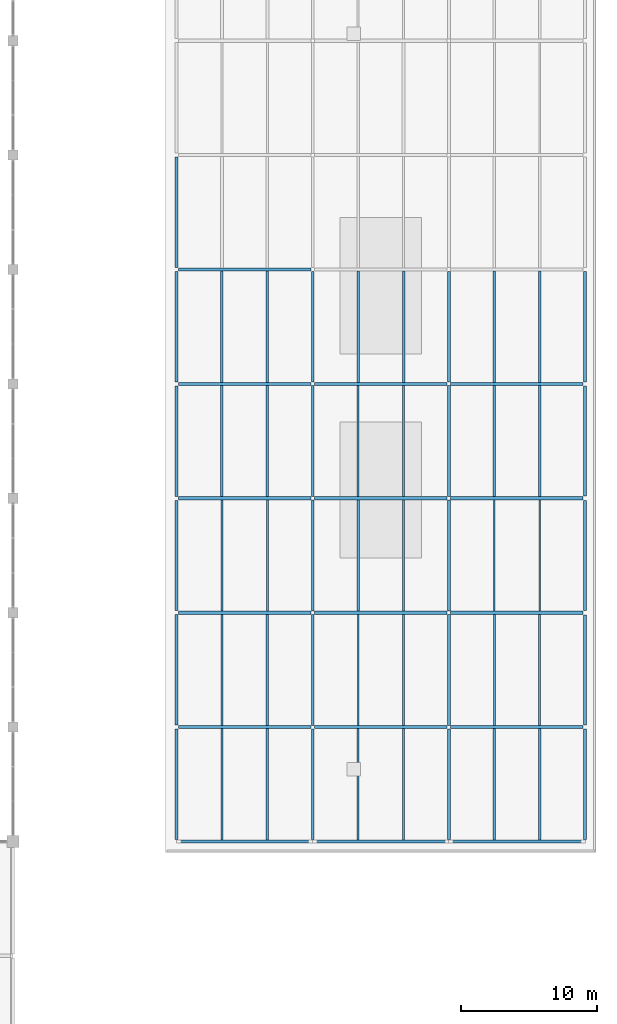
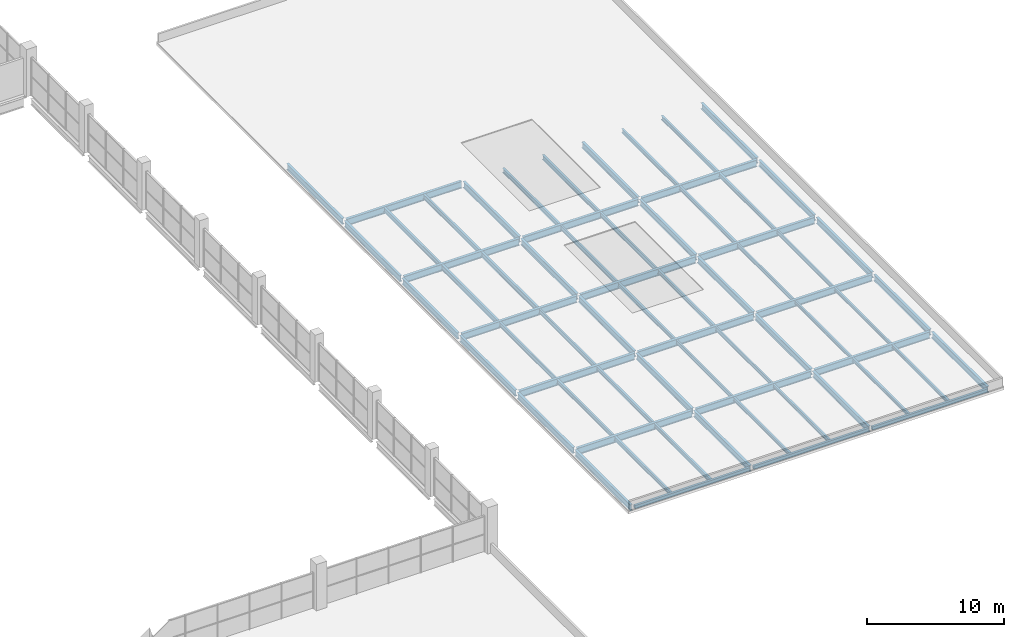
# One storey, part 67 of 93: 67 beams.
"""IFC4 building model written with IfcOpenShell, lengths in metres."""

import ifcopenshell
import ifcopenshell.guid

model = None  # the IFC model being written
_history = None  # IfcOwnerHistory: only IFC2X3 demands one
_inside = {}  # id of a spatial element -> (the spatial element, [elements in it])
_under = {}  # id of a project, library or spatial element -> (it, [spatial elements below it])
_declared = {}  # id of a project -> (the project, [libraries it declares])
_typed = {}  # id of a type object -> (the type object, [elements of that type])
_made_of = {}  # id of a material, layer set ... -> (it, [elements and type objects made of it])


def new_model(schema):
    """Start an empty IFC model of exactly this schema.

    Asked for "IFC4X3", IfcOpenShell would pick the latest addendum, in which some entities
    have other attributes; the version numbers below select the first issue.
    IFC2X3 requires an IfcOwnerHistory on every rooted entity: one is made here for all.
    """
    global model, _history
    if schema == "IFC4X3":
        model = ifcopenshell.file(schema_version=(4, 3, 0, 0))
    else:
        model = ifcopenshell.file(schema=schema)
    _inside.clear()
    _under.clear()
    _declared.clear()
    _typed.clear()
    _made_of.clear()
    _history = None
    if model.schema == "IFC2X3":
        org = make("IfcOrganization", Name="unknown")
        user = make(
            "IfcPersonAndOrganization",
            ThePerson=make("IfcPerson", FamilyName="unknown"),
            TheOrganization=org,
        )
        app = make(
            "IfcApplication",
            ApplicationDeveloper=org,
            Version="unknown",
            ApplicationFullName="unknown",
            ApplicationIdentifier="unknown",
        )
        _history = make(
            "IfcOwnerHistory",
            OwningUser=user,
            OwningApplication=app,
            ChangeAction="ADDED",
            CreationDate=0,
        )
    return model


def make(cls, **values):
    """One entity of the class cls with the attributes given. An attribute that is None is left unset."""
    return model.create_entity(
        cls, **{name: value for name, value in values.items() if value is not None}
    )


def rooted(cls, **values):
    """An entity with a GlobalId (a new one), such as an element, a storey or a relation."""
    return make(cls, GlobalId=ifcopenshell.guid.new(), OwnerHistory=_history, **values)


def si_unit(unit_type, name, prefix=None):
    """IfcSIUnit, for example si_unit("LENGTHUNIT", "METRE", prefix="MILLI")."""
    return make("IfcSIUnit", UnitType=unit_type, Prefix=prefix, Name=name)


def assignment(units):
    """IfcUnitAssignment: the units of a project."""
    return None if units is None else make("IfcUnitAssignment", Units=units)


def point(xyz):
    """IfcCartesianPoint."""
    return None if xyz is None else make("IfcCartesianPoint", Coordinates=xyz)


def direction(xyz):
    """IfcDirection."""
    return None if xyz is None else make("IfcDirection", DirectionRatios=xyz)


def frame(location, z_axis=None, x_axis=None):
    """IfcAxis2Placement3D, a coordinate frame: its origin and axes. An axis left out is left unset."""
    return make(
        "IfcAxis2Placement3D",
        Location=point(location),
        Axis=direction(z_axis),
        RefDirection=direction(x_axis),
    )


def frame_2d(location, x_axis=None):
    """IfcAxis2Placement2D, a coordinate frame in the plane: its origin and x axis."""
    return make(
        "IfcAxis2Placement2D", Location=point(location), RefDirection=direction(x_axis)
    )


def origin():
    """The frame at (0, 0, 0) with its axes left unset."""
    return frame((0.0, 0.0, 0.0))


def origin_2d():
    """The frame at (0, 0) in the plane with its x axis left unset."""
    return frame_2d((0.0, 0.0))


def place(relative_to, where):
    """IfcLocalPlacement: puts the frame where relative to a parent placement (None: the world)."""
    return make(
        "IfcLocalPlacement", PlacementRelTo=relative_to, RelativePlacement=where
    )


def context(
    kind, dimensions, precision=None, world=None, true_north=None, identifier=None
):
    """IfcGeometricRepresentationContext, for example the 3D "Model" context."""
    return make(
        "IfcGeometricRepresentationContext",
        ContextIdentifier=identifier,
        ContextType=kind,
        CoordinateSpaceDimension=dimensions,
        Precision=precision,
        WorldCoordinateSystem=world,
        TrueNorth=true_north,
    )


def subcontext(parent, identifier, kind, view, scale=None):
    """IfcGeometricRepresentationSubContext, for example "Body" below "Model"."""
    return make(
        "IfcGeometricRepresentationSubContext",
        ContextIdentifier=identifier,
        ContextType=kind,
        ParentContext=parent,
        TargetScale=scale,
        TargetView=view,
    )


def project(units=None, contexts=None):
    """IfcProject with its units and contexts."""
    return rooted(
        "IfcProject",
        Name="project",
        RepresentationContexts=contexts,
        UnitsInContext=assignment(units),
    )


def spatial(cls, under=None, at=None, **own):
    """A site, building, storey or space (cls), placed at a placement, below another one or the project."""
    s = rooted(cls, ObjectPlacement=at, **own)
    if under is not None:
        _under.setdefault(under.id(), (under, []))[1].append(s)
    return s


def profile(cls, at=None, kind="AREA", **sizes):
    """A parametric profile (cls). Its sizes go by their IFC names, for example OverallWidth=200.0."""
    return make(cls, ProfileType=kind, Position=at, **sizes)


def hollow_rectangle(**sizes):
    """IfcRectangleHollowProfileDef."""
    return profile("IfcRectangleHollowProfileDef", **sizes)


def i_section(**sizes):
    """IfcIShapeProfileDef."""
    return profile("IfcIShapeProfileDef", **sizes)


def extrude(swept, where, along, depth):
    """IfcExtrudedAreaSolid: the profile swept, set in the frame where, extruded along a direction by depth."""
    return make(
        "IfcExtrudedAreaSolid",
        SweptArea=swept,
        Position=where,
        ExtrudedDirection=direction(along),
        Depth=depth,
    )


def shape(context_of_items, identifier, shape_type, items):
    """IfcShapeRepresentation: the items that make up one representation, for example the "Body"."""
    return make(
        "IfcShapeRepresentation",
        ContextOfItems=context_of_items,
        RepresentationIdentifier=identifier,
        RepresentationType=shape_type,
        Items=items,
    )


def material(Name=None, Category=None):
    """IfcMaterial."""
    return make("IfcMaterial", Name=Name, Category=Category)


def material_profile(
    of_material, cross_section, Name=None, Category=None, Priority=None
):
    """IfcMaterialProfile: a cross section and its material."""
    return make(
        "IfcMaterialProfile",
        Name=Name,
        Material=of_material,
        Profile=cross_section,
        Priority=Priority,
        Category=Category,
    )


def profile_set(profiles, Name=None, composite=None):
    """IfcMaterialProfileSet."""
    return make(
        "IfcMaterialProfileSet",
        Name=Name,
        MaterialProfiles=profiles,
        CompositeProfile=composite,
    )


def made_of(thing, what):
    """Note that an element or type object is made of a material, layer set ...; save() writes the relation."""
    if what is not None:
        _made_of.setdefault(what.id(), (what, []))[1].append(thing)
    return thing


def type_object(cls, material=None, **own):
    """A type object (cls), such as IfcWallType, which elements share."""
    return made_of(rooted(cls, **own), material)


def element(
    cls,
    number,
    at=None,
    inside=None,
    cuts=None,
    type_object=None,
    material=None,
    context=None,
    identifier="Body",
    shape_type=None,
    held_by="IfcProductDefinitionShape",
    body=None,
    shapes=None,
    **own,
):
    """One element of the class cls, such as IfcWall. Its Tag is "e" and its number.

    at: its placement. inside: the storey or other place that contains it. cuts: it is an
    opening in that element (IfcRelVoidsElement). A single representation is given by context,
    identifier, shape_type and body (its items); several are given by shapes. held_by: the class
    of the entity that holds the representations. save() writes the other relations.
    """
    e = rooted(cls, Tag="e%d" % number, ObjectPlacement=at, **own)
    if body is not None:
        shapes = [shape(context, identifier, shape_type, body)]
    if shapes is not None:
        e.Representation = make(held_by, Representations=shapes)
    if inside is not None:
        _inside.setdefault(inside.id(), (inside, []))[1].append(e)
    if cuts is not None:
        rooted(
            "IfcRelVoidsElement", RelatingBuildingElement=cuts, RelatedOpeningElement=e
        )
    if type_object is not None:
        _typed.setdefault(type_object.id(), (type_object, []))[1].append(e)
    return made_of(e, material)


def aggregate(whole, parts):
    """IfcRelAggregates: a whole, such as a stair, and the parts it consists of."""
    return rooted("IfcRelAggregates", RelatingObject=whole, RelatedObjects=parts)


def save(model, path):
    """Write the relations noted so far, then the file.

    IfcRelAggregates (storeys below a building ...), IfcRelContainedInSpatialStructure (elements
    in a storey), IfcRelDefinesByType, IfcRelAssociatesMaterial and IfcRelDeclares: one each for
    every whole, place, type object, material and project.
    """
    for whole, parts in _under.values():
        aggregate(whole, parts)
    for where, things in _inside.values():
        rooted(
            "IfcRelContainedInSpatialStructure",
            RelatedElements=things,
            RelatingStructure=where,
        )
    for kind, things in _typed.values():
        rooted("IfcRelDefinesByType", RelatedObjects=things, RelatingType=kind)
    for what, things in _made_of.values():
        rooted("IfcRelAssociatesMaterial", RelatedObjects=things, RelatingMaterial=what)
    for by, libraries in _declared.values():
        rooted("IfcRelDeclares", RelatingContext=by, RelatedDefinitions=libraries)
    model.write(path)


model = new_model("IFC4")

# Units and contexts
model_context = context("Model", 3, precision=1e-05, world=origin(), true_north=direction((0.0, 1.0)))
body_context = subcontext(model_context, "Body", "Model", "MODEL_VIEW")
ifc_project = project(units=[si_unit("LENGTHUNIT", "METRE"), si_unit("AREAUNIT", "SQUARE_METRE"), si_unit("VOLUMEUNIT", "CUBIC_METRE"), si_unit("PLANEANGLEUNIT", "RADIAN"), si_unit("MASSUNIT", "GRAM", prefix="KILO"), si_unit("THERMODYNAMICTEMPERATUREUNIT", "KELVIN")], contexts=[model_context])

# Site, building, storey
site_placement = place(None, origin())
site = spatial("IfcSite", under=ifc_project, at=site_placement, CompositionType="ELEMENT")
building_placement = place(site_placement, origin())
building = spatial("IfcBuilding", under=site, at=building_placement, Name="Nduvali Passage Aquatics Centre", CompositionType="ELEMENT")
storey_placement = place(building_placement, frame((0.0, 0.0, 9.0)))
storey = spatial("IfcBuildingStorey", under=building, at=storey_placement, Name="L02", CompositionType="ELEMENT", Elevation=9.0)

# Beams
ifc_material = material(Name="Steel S355", Category="steel")
ifc_material_profile_1 = material_profile(ifc_material, i_section(OverallWidth=0.210693359375, OverallDepth=0.53955078125, WebThickness=0.01171875, FlangeThickness=0.018798828125, FilletRadius=0.0126953125, at=origin_2d()), Name="UKB 533x210x109")
ifc_profile_set_1 = profile_set([ifc_material_profile_1], Name="Steel S355")
beam_type_1 = type_object("IfcBeamType", Name="STR-BM-UKB533", PredefinedType="BEAM", material=ifc_profile_set_1)
beam_1_placement = place(storey_placement, frame((148.0, 25.3349609375, -0.493896484375), z_axis=(0.0, 1.0, 0.0), x_axis=(-1.0, 0.0, 0.0)))
element("IfcBeam", 1, at=beam_1_placement, inside=storey, type_object=beam_type_1, Name="L02 Primary Y-Girder B6-1029", PredefinedType="BEAM", context=body_context, shape_type="SweptSolid", body=[
    extrude(i_section(OverallWidth=0.210693359375, OverallDepth=0.53955078125, WebThickness=0.01171875, FlangeThickness=0.018798828125, FilletRadius=0.0126953125, at=origin_2d()), origin(), (0.0, 0.0, 1.0), 8.130126953125),
])
for number, where, z_axis, x_axis, name in (
    (2, (148.0, 33.735107421875, -0.493896484375), (0.0, 1.0, 0.0), (-1.0, 0.0, 0.0), "L02 Primary Y-Girder B6-1030"),
    (3, (148.0, 42.135009765625, -0.493896484375), (0.0, 1.0, 0.0), (-1.0, 0.0, 0.0), "L02 Primary Y-Girder B6-1031"),
):
    element("IfcBeam", number, at=place(storey_placement, frame(where, z_axis=z_axis, x_axis=x_axis)), inside=storey, type_object=beam_type_1, Name=name, PredefinedType="BEAM", context=body_context, shape_type="SweptSolid", body=[
        extrude(i_section(OverallWidth=0.210693359375, OverallDepth=0.53955078125, WebThickness=0.01171875, FlangeThickness=0.018798828125, FilletRadius=0.0126953125, at=origin_2d()), origin(), (0.0, 0.0, 1.0), 8.1298828125),
    ])
beam_2_placement = place(storey_placement, frame((148.0, 50.534912109375, -0.493896484375), z_axis=(0.0, 1.0, 0.0), x_axis=(-1.0, 0.0, 0.0)))
element("IfcBeam", 4, at=beam_2_placement, inside=storey, type_object=beam_type_1, Name="L02 Primary Y-Girder B6-1032", PredefinedType="BEAM", context=body_context, shape_type="SweptSolid", body=[
    extrude(i_section(OverallWidth=0.210693359375, OverallDepth=0.53955078125, WebThickness=0.01171875, FlangeThickness=0.018798828125, FilletRadius=0.0126953125, at=origin_2d()), origin(), (0.0, 0.0, 1.0), 8.130126953125),
])
beam_3_placement = place(storey_placement, frame((148.0, 58.93505859375, -0.493896484375), z_axis=(0.0, 1.0, 0.0), x_axis=(-1.0, 0.0, 0.0)))
element("IfcBeam", 5, at=beam_3_placement, inside=storey, type_object=beam_type_1, Name="L02 Primary Y-Girder B6-1033", PredefinedType="BEAM", context=body_context, shape_type="SweptSolid", body=[
    extrude(i_section(OverallWidth=0.210693359375, OverallDepth=0.53955078125, WebThickness=0.01171875, FlangeThickness=0.018798828125, FilletRadius=0.0126953125, at=origin_2d()), origin(), (0.0, 0.0, 1.0), 8.1298828125),
])
for number, where, z_axis, x_axis, name in (
    (6, (158.0, 25.330078125, -0.493896484375), (0.0, 1.0, 0.0), (-1.0, 0.0, 0.0), "L02 Primary Y-Girder B6-1037"),
    (7, (158.0, 33.72998046875, -0.493896484375), (0.0, 1.0, 0.0), (-1.0, 0.0, 0.0), "L02 Primary Y-Girder B6-1038"),
    (8, (158.0, 42.130126953125, -0.493896484375), (0.0, 1.0, 0.0), (-1.0, 0.0, 0.0), "L02 Primary Y-Girder B6-1039"),
    (9, (158.0, 50.530029296875, -0.493896484375), (0.0, 1.0, 0.0), (-1.0, 0.0, 0.0), "L02 Primary Y-Girder B6-1040"),
):
    element("IfcBeam", number, at=place(storey_placement, frame(where, z_axis=z_axis, x_axis=x_axis)), inside=storey, type_object=beam_type_1, Name=name, PredefinedType="BEAM", context=body_context, shape_type="SweptSolid", body=[
        extrude(i_section(OverallWidth=0.210693359375, OverallDepth=0.53955078125, WebThickness=0.01171875, FlangeThickness=0.018798828125, FilletRadius=0.0126953125, at=origin_2d()), origin(), (0.0, 0.0, 1.0), 8.139892578125),
    ])
beam_4_placement = place(storey_placement, frame((158.0, 58.93017578125, -0.493896484375), z_axis=(0.0, 1.0, 0.0), x_axis=(-1.0, 0.0, 0.0)))
element("IfcBeam", 10, at=beam_4_placement, inside=storey, type_object=beam_type_1, Name="L02 Primary Y-Girder B6-1041", PredefinedType="BEAM", context=body_context, shape_type="SweptSolid", body=[
    extrude(i_section(OverallWidth=0.210693359375, OverallDepth=0.53955078125, WebThickness=0.01171875, FlangeThickness=0.018798828125, FilletRadius=0.0126953125, at=origin_2d()), origin(), (0.0, 0.0, 1.0), 8.1396484375),
])
ifc_material_profile_2 = material_profile(ifc_material, i_section(OverallWidth=0.210693359375, OverallDepth=0.53955078125, WebThickness=0.01171875, FlangeThickness=0.018798828125, FilletRadius=0.0126953125, at=origin_2d()), Name="UKB 533x210x109")
ifc_profile_set_2 = profile_set([ifc_material_profile_2], Name="Steel S355")
beam_type_2 = type_object("IfcBeamType", Name="STR-BM-UKB533-EXT", PredefinedType="BEAM", material=ifc_profile_set_2)
beam_5_placement = place(storey_placement, frame((138.0, 25.35009765625, -0.493896484375), z_axis=(0.0, 1.0, 0.0), x_axis=(-1.0, 0.0, 0.0)))
element("IfcBeam", 11, at=beam_5_placement, inside=storey, type_object=beam_type_2, Name="L02 Primary Y-Girder B6E-1021", PredefinedType="BEAM", context=body_context, shape_type="SweptSolid", body=[
    extrude(i_section(OverallWidth=0.210693359375, OverallDepth=0.53955078125, WebThickness=0.01171875, FlangeThickness=0.018798828125, FilletRadius=0.0126953125, at=origin_2d()), origin(), (0.0, 0.0, 1.0), 8.099853515625),
])
for number, where, z_axis, x_axis, name in (
    (12, (138.0, 33.75, -0.493896484375), (0.0, 1.0, 0.0), (-1.0, 0.0, 0.0), "L02 Primary Y-Girder B6E-1022"),
    (13, (138.0, 42.14990234375, -0.493896484375), (0.0, 1.0, 0.0), (-1.0, 0.0, 0.0), "L02 Primary Y-Girder B6E-1023"),
):
    element("IfcBeam", number, at=place(storey_placement, frame(where, z_axis=z_axis, x_axis=x_axis)), inside=storey, type_object=beam_type_2, Name=name, PredefinedType="BEAM", context=body_context, shape_type="SweptSolid", body=[
        extrude(i_section(OverallWidth=0.210693359375, OverallDepth=0.53955078125, WebThickness=0.01171875, FlangeThickness=0.018798828125, FilletRadius=0.0126953125, at=origin_2d()), origin(), (0.0, 0.0, 1.0), 8.10009765625),
    ])
beam_6_placement = place(storey_placement, frame((138.0, 50.550048828125, -0.493896484375), z_axis=(0.0, 1.0, 0.0), x_axis=(-1.0, 0.0, 0.0)))
element("IfcBeam", 14, at=beam_6_placement, inside=storey, type_object=beam_type_2, Name="L02 Primary Y-Girder B6E-1024", PredefinedType="BEAM", context=body_context, shape_type="SweptSolid", body=[
    extrude(i_section(OverallWidth=0.210693359375, OverallDepth=0.53955078125, WebThickness=0.01171875, FlangeThickness=0.018798828125, FilletRadius=0.0126953125, at=origin_2d()), origin(), (0.0, 0.0, 1.0), 8.099853515625),
])
beam_7_placement = place(storey_placement, frame((138.0, 58.949951171875, -0.493896484375), z_axis=(0.0, 1.0, 0.0), x_axis=(-1.0, 0.0, 0.0)))
element("IfcBeam", 15, at=beam_7_placement, inside=storey, type_object=beam_type_2, Name="L02 Primary Y-Girder B6E-1025", PredefinedType="BEAM", context=body_context, shape_type="SweptSolid", body=[
    extrude(i_section(OverallWidth=0.210693359375, OverallDepth=0.53955078125, WebThickness=0.01171875, FlangeThickness=0.018798828125, FilletRadius=0.0126953125, at=origin_2d()), origin(), (0.0, 0.0, 1.0), 8.10009765625),
])
beam_8_placement = place(storey_placement, frame((138.0, 67.35009765625, -0.493896484375), z_axis=(0.0, 1.0, 0.0), x_axis=(-1.0, 0.0, 0.0)))
element("IfcBeam", 16, at=beam_8_placement, inside=storey, type_object=beam_type_2, Name="L02 Primary Y-Girder B6E-1026", PredefinedType="BEAM", context=body_context, shape_type="SweptSolid", body=[
    extrude(i_section(OverallWidth=0.210693359375, OverallDepth=0.53955078125, WebThickness=0.01171875, FlangeThickness=0.018798828125, FilletRadius=0.0126953125, at=origin_2d()), origin(), (0.0, 0.0, 1.0), 8.099853515625),
])
for number, where, z_axis, x_axis, name in (
    (17, (168.0, 25.35498046875, -0.493896484375), (0.0, 1.0, 0.0), (-1.0, 0.0, 0.0), "L02 Primary Y-Girder B6E-1045"),
    (18, (168.0, 33.7548828125, -0.493896484375), (0.0, 1.0, 0.0), (-1.0, 0.0, 0.0), "L02 Primary Y-Girder B6E-1046"),
    (19, (168.0, 42.155029296875, -0.493896484375), (0.0, 1.0, 0.0), (-1.0, 0.0, 0.0), "L02 Primary Y-Girder B6E-1047"),
    (20, (168.0, 50.554931640625, -0.493896484375), (0.0, 1.0, 0.0), (-1.0, 0.0, 0.0), "L02 Primary Y-Girder B6E-1048"),
):
    element("IfcBeam", number, at=place(storey_placement, frame(where, z_axis=z_axis, x_axis=x_axis)), inside=storey, type_object=beam_type_2, Name=name, PredefinedType="BEAM", context=body_context, shape_type="SweptSolid", body=[
        extrude(i_section(OverallWidth=0.210693359375, OverallDepth=0.53955078125, WebThickness=0.01171875, FlangeThickness=0.018798828125, FilletRadius=0.0126953125, at=origin_2d()), origin(), (0.0, 0.0, 1.0), 8.090087890625),
    ])
beam_9_placement = place(storey_placement, frame((168.0, 58.955078125, -0.493896484375), z_axis=(0.0, 1.0, 0.0), x_axis=(-1.0, 0.0, 0.0)))
element("IfcBeam", 21, at=beam_9_placement, inside=storey, type_object=beam_type_2, Name="L02 Primary Y-Girder B6E-1049", PredefinedType="BEAM", context=body_context, shape_type="SweptSolid", body=[
    extrude(i_section(OverallWidth=0.210693359375, OverallDepth=0.53955078125, WebThickness=0.01171875, FlangeThickness=0.018798828125, FilletRadius=0.0126953125, at=origin_2d()), origin(), (0.0, 0.0, 1.0), 8.08984375),
])
ifc_material_profile_3 = material_profile(ifc_material, i_section(OverallWidth=0.22900390625, OverallDepth=0.6123046875, WebThickness=0.011962890625, FlangeThickness=0.01953125, FilletRadius=0.0126953125, at=origin_2d()), Name="UKB 610x229x125")
ifc_profile_set_3 = profile_set([ifc_material_profile_3], Name="Steel S355")
beam_type_3 = type_object("IfcBeamType", Name="STR-BM-UKB610", PredefinedType="BEAM", material=ifc_profile_set_3)
beam_10_placement = place(storey_placement, frame((138.14990234375, 33.60009765625, -0.530029296875), z_axis=(1.0, 0.0, 0.0), x_axis=(0.0, 1.0, 0.0)))
element("IfcBeam", 22, at=beam_10_placement, inside=storey, type_object=beam_type_3, Name="L02 Primary X-Girder B5-0887", PredefinedType="BEAM", context=body_context, shape_type="SweptSolid", body=[
    extrude(i_section(OverallWidth=0.22900390625, OverallDepth=0.6123046875, WebThickness=0.011962890625, FlangeThickness=0.01953125, FilletRadius=0.0126953125, at=origin_2d()), origin(), (0.0, 0.0, 1.0), 9.710205078125),
])
beam_11_placement = place(storey_placement, frame((148.139892578125, 33.60009765625, -0.530029296875), z_axis=(1.0, 0.0, 0.0), x_axis=(0.0, 1.0, 0.0)))
element("IfcBeam", 23, at=beam_11_placement, inside=storey, type_object=beam_type_3, Name="L02 Primary X-Girder B5-0888", PredefinedType="BEAM", context=body_context, shape_type="SweptSolid", body=[
    extrude(i_section(OverallWidth=0.22900390625, OverallDepth=0.6123046875, WebThickness=0.011962890625, FlangeThickness=0.01953125, FilletRadius=0.0126953125, at=origin_2d()), origin(), (0.0, 0.0, 1.0), 9.73193359375),
])
beam_12_placement = place(storey_placement, frame((158.128173828125, 33.60009765625, -0.530029296875), z_axis=(1.0, 0.0, 0.0), x_axis=(0.0, 1.0, 0.0)))
element("IfcBeam", 24, at=beam_12_placement, inside=storey, type_object=beam_type_3, Name="L02 Primary X-Girder B5-0889", PredefinedType="BEAM", context=body_context, shape_type="SweptSolid", body=[
    extrude(i_section(OverallWidth=0.22900390625, OverallDepth=0.6123046875, WebThickness=0.011962890625, FlangeThickness=0.01953125, FilletRadius=0.0126953125, at=origin_2d()), origin(), (0.0, 0.0, 1.0), 9.721923828125),
])
beam_13_placement = place(storey_placement, frame((138.14990234375, 42.0, -0.530029296875), z_axis=(1.0, 0.0, 0.0), x_axis=(0.0, 1.0, 0.0)))
element("IfcBeam", 25, at=beam_13_placement, inside=storey, type_object=beam_type_3, Name="L02 Primary X-Girder B5-0893", PredefinedType="BEAM", context=body_context, shape_type="SweptSolid", body=[
    extrude(i_section(OverallWidth=0.22900390625, OverallDepth=0.6123046875, WebThickness=0.011962890625, FlangeThickness=0.01953125, FilletRadius=0.0126953125, at=origin_2d()), origin(), (0.0, 0.0, 1.0), 9.710205078125),
])
beam_14_placement = place(storey_placement, frame((148.139892578125, 42.0, -0.530029296875), z_axis=(1.0, 0.0, 0.0), x_axis=(0.0, 1.0, 0.0)))
element("IfcBeam", 26, at=beam_14_placement, inside=storey, type_object=beam_type_3, Name="L02 Primary X-Girder B5-0894", PredefinedType="BEAM", context=body_context, shape_type="SweptSolid", body=[
    extrude(i_section(OverallWidth=0.22900390625, OverallDepth=0.6123046875, WebThickness=0.011962890625, FlangeThickness=0.01953125, FilletRadius=0.0126953125, at=origin_2d()), origin(), (0.0, 0.0, 1.0), 9.73193359375),
])
beam_15_placement = place(storey_placement, frame((158.128173828125, 42.0, -0.530029296875), z_axis=(1.0, 0.0, 0.0), x_axis=(0.0, 1.0, 0.0)))
element("IfcBeam", 27, at=beam_15_placement, inside=storey, type_object=beam_type_3, Name="L02 Primary X-Girder B5-0895", PredefinedType="BEAM", context=body_context, shape_type="SweptSolid", body=[
    extrude(i_section(OverallWidth=0.22900390625, OverallDepth=0.6123046875, WebThickness=0.011962890625, FlangeThickness=0.01953125, FilletRadius=0.0126953125, at=origin_2d()), origin(), (0.0, 0.0, 1.0), 9.721923828125),
])
beam_16_placement = place(storey_placement, frame((138.14990234375, 50.39990234375, -0.530029296875), z_axis=(1.0, 0.0, 0.0), x_axis=(0.0, 1.0, 0.0)))
element("IfcBeam", 28, at=beam_16_placement, inside=storey, type_object=beam_type_3, Name="L02 Primary X-Girder B5-0896", PredefinedType="BEAM", context=body_context, shape_type="SweptSolid", body=[
    extrude(i_section(OverallWidth=0.22900390625, OverallDepth=0.6123046875, WebThickness=0.011962890625, FlangeThickness=0.01953125, FilletRadius=0.0126953125, at=origin_2d()), origin(), (0.0, 0.0, 1.0), 9.710205078125),
])
beam_17_placement = place(storey_placement, frame((148.139892578125, 50.39990234375, -0.530029296875), z_axis=(1.0, 0.0, 0.0), x_axis=(0.0, 1.0, 0.0)))
element("IfcBeam", 29, at=beam_17_placement, inside=storey, type_object=beam_type_3, Name="L02 Primary X-Girder B5-0897", PredefinedType="BEAM", context=body_context, shape_type="SweptSolid", body=[
    extrude(i_section(OverallWidth=0.22900390625, OverallDepth=0.6123046875, WebThickness=0.011962890625, FlangeThickness=0.01953125, FilletRadius=0.0126953125, at=origin_2d()), origin(), (0.0, 0.0, 1.0), 9.73193359375),
])
beam_18_placement = place(storey_placement, frame((158.128173828125, 50.39990234375, -0.530029296875), z_axis=(1.0, 0.0, 0.0), x_axis=(0.0, 1.0, 0.0)))
element("IfcBeam", 30, at=beam_18_placement, inside=storey, type_object=beam_type_3, Name="L02 Primary X-Girder B5-0898", PredefinedType="BEAM", context=body_context, shape_type="SweptSolid", body=[
    extrude(i_section(OverallWidth=0.22900390625, OverallDepth=0.6123046875, WebThickness=0.011962890625, FlangeThickness=0.01953125, FilletRadius=0.0126953125, at=origin_2d()), origin(), (0.0, 0.0, 1.0), 9.721923828125),
])
beam_19_placement = place(storey_placement, frame((138.14990234375, 58.800048828125, -0.530029296875), z_axis=(1.0, 0.0, 0.0), x_axis=(0.0, 1.0, 0.0)))
element("IfcBeam", 31, at=beam_19_placement, inside=storey, type_object=beam_type_3, Name="L02 Primary X-Girder B5-0899", PredefinedType="BEAM", context=body_context, shape_type="SweptSolid", body=[
    extrude(i_section(OverallWidth=0.22900390625, OverallDepth=0.6123046875, WebThickness=0.011962890625, FlangeThickness=0.01953125, FilletRadius=0.0126953125, at=origin_2d()), origin(), (0.0, 0.0, 1.0), 9.710205078125),
])
beam_20_placement = place(storey_placement, frame((148.139892578125, 58.800048828125, -0.530029296875), z_axis=(1.0, 0.0, 0.0), x_axis=(0.0, 1.0, 0.0)))
element("IfcBeam", 32, at=beam_20_placement, inside=storey, type_object=beam_type_3, Name="L02 Primary X-Girder B5-0900", PredefinedType="BEAM", context=body_context, shape_type="SweptSolid", body=[
    extrude(i_section(OverallWidth=0.22900390625, OverallDepth=0.6123046875, WebThickness=0.011962890625, FlangeThickness=0.01953125, FilletRadius=0.0126953125, at=origin_2d()), origin(), (0.0, 0.0, 1.0), 9.73193359375),
])
beam_21_placement = place(storey_placement, frame((158.128173828125, 58.800048828125, -0.530029296875), z_axis=(1.0, 0.0, 0.0), x_axis=(0.0, 1.0, 0.0)))
element("IfcBeam", 33, at=beam_21_placement, inside=storey, type_object=beam_type_3, Name="L02 Primary X-Girder B5-0901", PredefinedType="BEAM", context=body_context, shape_type="SweptSolid", body=[
    extrude(i_section(OverallWidth=0.22900390625, OverallDepth=0.6123046875, WebThickness=0.011962890625, FlangeThickness=0.01953125, FilletRadius=0.0126953125, at=origin_2d()), origin(), (0.0, 0.0, 1.0), 9.721923828125),
])
beam_22_placement = place(storey_placement, frame((138.14990234375, 67.199951171875, -0.530029296875), z_axis=(1.0, 0.0, 0.0), x_axis=(0.0, 1.0, 0.0)))
element("IfcBeam", 34, at=beam_22_placement, inside=storey, type_object=beam_type_3, Name="L02 Primary X-Girder B5-0902", PredefinedType="BEAM", context=body_context, shape_type="SweptSolid", body=[
    extrude(i_section(OverallWidth=0.22900390625, OverallDepth=0.6123046875, WebThickness=0.011962890625, FlangeThickness=0.01953125, FilletRadius=0.0126953125, at=origin_2d()), origin(), (0.0, 0.0, 1.0), 9.710205078125),
])
ifc_material_profile_4 = material_profile(ifc_material, i_section(OverallWidth=0.14990234375, OverallDepth=0.300048828125, WebThickness=0.007080078125, FlangeThickness=0.0107421875, FilletRadius=0.014892578125, at=origin_2d()), Name="IPE 300")
ifc_profile_set_4 = profile_set([ifc_material_profile_4], Name="Steel S355")
beam_type_4 = type_object("IfcBeamType", Name="STR-JST-IPE300", PredefinedType="JOIST", material=ifc_profile_set_4)
for number, where, z_axis, x_axis, name in (
    (35, (161.333251953125, 33.714599609375, -0.3740234375), (0.0, 1.0, 0.0), (-1.0, 0.0, 0.0), "L02 Secondary Joist J7-1106"),
    (36, (164.666748046875, 33.714599609375, -0.3740234375), (0.0, 1.0, 0.0), (-1.0, 0.0, 0.0), "L02 Secondary Joist J7-1107"),
):
    element("IfcBeam", number, at=place(storey_placement, frame(where, z_axis=z_axis, x_axis=x_axis)), inside=storey, type_object=beam_type_4, Name=name, PredefinedType="JOIST", context=body_context, shape_type="SweptSolid", body=[
        extrude(i_section(OverallWidth=0.14990234375, OverallDepth=0.300048828125, WebThickness=0.007080078125, FlangeThickness=0.0107421875, FilletRadius=0.014892578125, at=origin_2d()), origin(), (0.0, 0.0, 1.0), 8.1708984375),
    ])
ifc_material_profile_5 = material_profile(ifc_material, i_section(OverallWidth=0.159912109375, OverallDepth=0.330078125, WebThickness=0.007568359375, FlangeThickness=0.011474609375, FilletRadius=0.01806640625, at=origin_2d()), Name="IPE 330")
ifc_profile_set_5 = profile_set([ifc_material_profile_5], Name="Steel S355")
beam_type_5 = type_object("IfcBeamType", Name="STR-JST-IPE330", PredefinedType="JOIST", material=ifc_profile_set_5)
for number, where, z_axis, x_axis, name in (
    (37, (151.333251953125, 25.300048828125, -0.388916015625), (0.0, 1.0, 0.0), (-1.0, 0.0, 0.0), "L02 Secondary Joist J6A-1097"),
    (38, (154.666748046875, 25.300048828125, -0.388916015625), (0.0, 1.0, 0.0), (-1.0, 0.0, 0.0), "L02 Secondary Joist J6A-1098"),
):
    element("IfcBeam", number, at=place(storey_placement, frame(where, z_axis=z_axis, x_axis=x_axis)), inside=storey, type_object=beam_type_5, Name=name, PredefinedType="JOIST", context=body_context, shape_type="SweptSolid", body=[
        extrude(i_section(OverallWidth=0.159912109375, OverallDepth=0.330078125, WebThickness=0.007568359375, FlangeThickness=0.011474609375, FilletRadius=0.01806640625, at=origin_2d()), origin(), (0.0, 0.0, 1.0), 8.185546875),
    ])
ifc_material_profile_6 = material_profile(ifc_material, i_section(OverallWidth=0.169921875, OverallDepth=0.360107421875, WebThickness=0.008056640625, FlangeThickness=0.0126953125, FilletRadius=0.01806640625, at=origin_2d()), Name="IPE 360")
ifc_profile_set_6 = profile_set([ifc_material_profile_6], Name="Steel S355")
beam_type_6 = type_object("IfcBeamType", Name="STR-JST-IPE360", PredefinedType="JOIST", material=ifc_profile_set_6)
for number, where, z_axis, x_axis, name in (
    (39, (141.333251953125, 33.714599609375, -0.404052734375), (0.0, 1.0, 0.0), (-1.0, 0.0, 0.0), "L02 Secondary Joist J6-1102"),
    (40, (144.666748046875, 33.714599609375, -0.404052734375), (0.0, 1.0, 0.0), (-1.0, 0.0, 0.0), "L02 Secondary Joist J6-1103"),
    (41, (151.333251953125, 42.114501953125, -0.404052734375), (0.0, 1.0, 0.0), (-1.0, 0.0, 0.0), "L02 Secondary Joist J6-1110"),
    (42, (154.666748046875, 42.114501953125, -0.404052734375), (0.0, 1.0, 0.0), (-1.0, 0.0, 0.0), "L02 Secondary Joist J6-1111"),
):
    element("IfcBeam", number, at=place(storey_placement, frame(where, z_axis=z_axis, x_axis=x_axis)), inside=storey, type_object=beam_type_6, Name=name, PredefinedType="JOIST", context=body_context, shape_type="SweptSolid", body=[
        extrude(i_section(OverallWidth=0.169921875, OverallDepth=0.360107421875, WebThickness=0.008056640625, FlangeThickness=0.0126953125, FilletRadius=0.01806640625, at=origin_2d()), origin(), (0.0, 0.0, 1.0), 8.1708984375),
    ])
for number, where, z_axis, x_axis, name in (
    (43, (161.333251953125, 50.514404296875, -0.404052734375), (0.0, 1.0, 0.0), (-1.0, 0.0, 0.0), "L02 Secondary Joist J6-1118"),
    (44, (164.666748046875, 50.514404296875, -0.404052734375), (0.0, 1.0, 0.0), (-1.0, 0.0, 0.0), "L02 Secondary Joist J6-1119"),
):
    element("IfcBeam", number, at=place(storey_placement, frame(where, z_axis=z_axis, x_axis=x_axis)), inside=storey, type_object=beam_type_6, Name=name, PredefinedType="JOIST", context=body_context, shape_type="SweptSolid", body=[
        extrude(i_section(OverallWidth=0.169921875, OverallDepth=0.360107421875, WebThickness=0.008056640625, FlangeThickness=0.0126953125, FilletRadius=0.01806640625, at=origin_2d()), origin(), (0.0, 0.0, 1.0), 8.171142578125),
    ])
ifc_material_profile_7 = material_profile(ifc_material, i_section(OverallWidth=0.179931640625, OverallDepth=0.39990234375, WebThickness=0.008544921875, FlangeThickness=0.013427734375, FilletRadius=0.02099609375, at=origin_2d()), Name="IPE 400")
ifc_profile_set_7 = profile_set([ifc_material_profile_7], Name="Steel S355")
beam_type_7 = type_object("IfcBeamType", Name="STR-JST-IPE400", PredefinedType="JOIST", material=ifc_profile_set_7)
for number, where, z_axis, x_axis, name in (
    (45, (151.333251953125, 58.91455078125, -0.424072265625), (0.0, 1.0, 0.0), (-1.0, 0.0, 0.0), "L02 Secondary Joist J5-1122"),
    (46, (154.666748046875, 58.91455078125, -0.424072265625), (0.0, 1.0, 0.0), (-1.0, 0.0, 0.0), "L02 Secondary Joist J5-1123"),
):
    element("IfcBeam", number, at=place(storey_placement, frame(where, z_axis=z_axis, x_axis=x_axis)), inside=storey, type_object=beam_type_7, Name=name, PredefinedType="JOIST", context=body_context, shape_type="SweptSolid", body=[
        extrude(i_section(OverallWidth=0.179931640625, OverallDepth=0.39990234375, WebThickness=0.008544921875, FlangeThickness=0.013427734375, FilletRadius=0.02099609375, at=origin_2d()), origin(), (0.0, 0.0, 1.0), 8.1708984375),
    ])
ifc_material_profile_8 = material_profile(ifc_material, i_section(OverallWidth=0.18994140625, OverallDepth=0.449951171875, WebThickness=0.009521484375, FlangeThickness=0.0146484375, FilletRadius=0.02099609375, at=origin_2d()), Name="IPE 450")
ifc_profile_set_8 = profile_set([ifc_material_profile_8], Name="Steel S355")
beam_type_8 = type_object("IfcBeamType", Name="STR-JST-IPE450", PredefinedType="JOIST", material=ifc_profile_set_8)
for number, where, z_axis, x_axis, name in (
    (47, (141.333251953125, 50.514404296875, -0.448974609375), (0.0, 1.0, 0.0), (-1.0, 0.0, 0.0), "L02 Secondary Joist J5B-1114"),
    (48, (144.666748046875, 50.514404296875, -0.448974609375), (0.0, 1.0, 0.0), (-1.0, 0.0, 0.0), "L02 Secondary Joist J5B-1115"),
):
    element("IfcBeam", number, at=place(storey_placement, frame(where, z_axis=z_axis, x_axis=x_axis)), inside=storey, type_object=beam_type_8, Name=name, PredefinedType="JOIST", context=body_context, shape_type="SweptSolid", body=[
        extrude(i_section(OverallWidth=0.18994140625, OverallDepth=0.449951171875, WebThickness=0.009521484375, FlangeThickness=0.0146484375, FilletRadius=0.02099609375, at=origin_2d()), origin(), (0.0, 0.0, 1.0), 8.171142578125),
    ])
ifc_material_profile_9 = material_profile(ifc_material, i_section(OverallWidth=0.165771484375, OverallDepth=0.306640625, WebThickness=0.006591796875, FlangeThickness=0.01171875, FilletRadius=0.0087890625, at=origin_2d()), Name="UKB 305x165x46")
ifc_profile_set_9 = profile_set([ifc_material_profile_9], Name="Steel S355")
beam_type_9 = type_object("IfcBeamType", Name="STR-JST-UKB305", PredefinedType="JOIST", material=ifc_profile_set_9)
for number, where, z_axis, x_axis, name in (
    (49, (161.333251953125, 25.300048828125, -0.377197265625), (0.0, 1.0, 0.0), (-1.0, 0.0, 0.0), "L02 Secondary Joist J3-1099"),
    (50, (164.666748046875, 25.300048828125, -0.377197265625), (0.0, 1.0, 0.0), (-1.0, 0.0, 0.0), "L02 Secondary Joist J3-1100"),
):
    element("IfcBeam", number, at=place(storey_placement, frame(where, z_axis=z_axis, x_axis=x_axis)), inside=storey, type_object=beam_type_9, Name=name, PredefinedType="JOIST", context=body_context, shape_type="SweptSolid", body=[
        extrude(i_section(OverallWidth=0.165771484375, OverallDepth=0.306640625, WebThickness=0.006591796875, FlangeThickness=0.01171875, FilletRadius=0.0087890625, at=origin_2d()), origin(), (0.0, 0.0, 1.0), 8.185546875),
    ])
ifc_material_profile_10 = material_profile(ifc_material, i_section(OverallWidth=0.172119140625, OverallDepth=0.35791015625, WebThickness=0.008056640625, FlangeThickness=0.012939453125, FilletRadius=0.01025390625, at=origin_2d()), Name="UKB 356x171x57")
ifc_profile_set_10 = profile_set([ifc_material_profile_10], Name="Steel S355")
beam_type_10 = type_object("IfcBeamType", Name="STR-JST-UKB356", PredefinedType="JOIST", material=ifc_profile_set_10)
for number, where, z_axis, x_axis, name in (
    (51, (141.333251953125, 25.300048828125, -0.403076171875), (0.0, 1.0, 0.0), (-1.0, 0.0, 0.0), "L02 Secondary Joist J2-1095"),
    (52, (144.666748046875, 25.300048828125, -0.403076171875), (0.0, 1.0, 0.0), (-1.0, 0.0, 0.0), "L02 Secondary Joist J2-1096"),
):
    element("IfcBeam", number, at=place(storey_placement, frame(where, z_axis=z_axis, x_axis=x_axis)), inside=storey, type_object=beam_type_10, Name=name, PredefinedType="JOIST", context=body_context, shape_type="SweptSolid", body=[
        extrude(i_section(OverallWidth=0.172119140625, OverallDepth=0.35791015625, WebThickness=0.008056640625, FlangeThickness=0.012939453125, FilletRadius=0.01025390625, at=origin_2d()), origin(), (0.0, 0.0, 1.0), 8.185546875),
    ])
for number, where, z_axis, x_axis, name in (
    (53, (161.333251953125, 58.91455078125, -0.403076171875), (0.0, 1.0, 0.0), (-1.0, 0.0, 0.0), "L02 Secondary Joist J2-1124"),
    (54, (164.666748046875, 58.91455078125, -0.403076171875), (0.0, 1.0, 0.0), (-1.0, 0.0, 0.0), "L02 Secondary Joist J2-1125"),
):
    element("IfcBeam", number, at=place(storey_placement, frame(where, z_axis=z_axis, x_axis=x_axis)), inside=storey, type_object=beam_type_10, Name=name, PredefinedType="JOIST", context=body_context, shape_type="SweptSolid", body=[
        extrude(i_section(OverallWidth=0.172119140625, OverallDepth=0.35791015625, WebThickness=0.008056640625, FlangeThickness=0.012939453125, FilletRadius=0.01025390625, at=origin_2d()), origin(), (0.0, 0.0, 1.0), 8.1708984375),
    ])
ifc_material_profile_11 = material_profile(ifc_material, i_section(OverallWidth=0.1259765625, OverallDepth=0.353515625, WebThickness=0.006591796875, FlangeThickness=0.0107421875, FilletRadius=0.01025390625, at=origin_2d()), Name="UKB 356x127x39")
ifc_profile_set_11 = profile_set([ifc_material_profile_11], Name="Steel S355")
beam_type_11 = type_object("IfcBeamType", Name="STR-JST-UKB356L", PredefinedType="JOIST", material=ifc_profile_set_11)
for number, where, z_axis, x_axis, name in (
    (55, (151.333251953125, 33.714599609375, -0.400634765625), (0.0, 1.0, 0.0), (-1.0, 0.0, 0.0), "L02 Secondary Joist J2A-1104"),
    (56, (154.666748046875, 33.714599609375, -0.400634765625), (0.0, 1.0, 0.0), (-1.0, 0.0, 0.0), "L02 Secondary Joist J2A-1105"),
    (57, (161.333251953125, 42.114501953125, -0.400634765625), (0.0, 1.0, 0.0), (-1.0, 0.0, 0.0), "L02 Secondary Joist J2A-1112"),
    (58, (164.666748046875, 42.114501953125, -0.400634765625), (0.0, 1.0, 0.0), (-1.0, 0.0, 0.0), "L02 Secondary Joist J2A-1113"),
):
    element("IfcBeam", number, at=place(storey_placement, frame(where, z_axis=z_axis, x_axis=x_axis)), inside=storey, type_object=beam_type_11, Name=name, PredefinedType="JOIST", context=body_context, shape_type="SweptSolid", body=[
        extrude(i_section(OverallWidth=0.1259765625, OverallDepth=0.353515625, WebThickness=0.006591796875, FlangeThickness=0.0107421875, FilletRadius=0.01025390625, at=origin_2d()), origin(), (0.0, 0.0, 1.0), 8.1708984375),
    ])
ifc_material_profile_12 = material_profile(ifc_material, i_section(OverallWidth=0.1787109375, OverallDepth=0.409423828125, WebThickness=0.0087890625, FlangeThickness=0.014404296875, FilletRadius=0.01025390625, at=origin_2d()), Name="UKB 406x178x67")
ifc_profile_set_12 = profile_set([ifc_material_profile_12], Name="Steel S355")
beam_type_12 = type_object("IfcBeamType", Name="STR-JST-UKB406", PredefinedType="JOIST", material=ifc_profile_set_12)
for number, where, z_axis, x_axis, name in (
    (59, (141.333251953125, 58.91455078125, -0.4287109375), (0.0, 1.0, 0.0), (-1.0, 0.0, 0.0), "L02 Secondary Joist J1-1120"),
    (60, (144.666748046875, 58.91455078125, -0.4287109375), (0.0, 1.0, 0.0), (-1.0, 0.0, 0.0), "L02 Secondary Joist J1-1121"),
):
    element("IfcBeam", number, at=place(storey_placement, frame(where, z_axis=z_axis, x_axis=x_axis)), inside=storey, type_object=beam_type_12, Name=name, PredefinedType="JOIST", context=body_context, shape_type="SweptSolid", body=[
        extrude(i_section(OverallWidth=0.1787109375, OverallDepth=0.409423828125, WebThickness=0.0087890625, FlangeThickness=0.014404296875, FilletRadius=0.01025390625, at=origin_2d()), origin(), (0.0, 0.0, 1.0), 8.1708984375),
    ])
ifc_material_profile_13 = material_profile(ifc_material, i_section(OverallWidth=0.14208984375, OverallDepth=0.4033203125, WebThickness=0.0068359375, FlangeThickness=0.01123046875, FilletRadius=0.01025390625, at=origin_2d()), Name="UKB 406x140x46")
ifc_profile_set_13 = profile_set([ifc_material_profile_13], Name="Steel S355")
beam_type_13 = type_object("IfcBeamType", Name="STR-JST-UKB406L", PredefinedType="JOIST", material=ifc_profile_set_13)
for number, where, z_axis, x_axis, name in (
    (61, (141.333251953125, 42.114501953125, -0.425537109375), (0.0, 1.0, 0.0), (-1.0, 0.0, 0.0), "L02 Secondary Joist J1B-1108"),
    (62, (144.666748046875, 42.114501953125, -0.425537109375), (0.0, 1.0, 0.0), (-1.0, 0.0, 0.0), "L02 Secondary Joist J1B-1109"),
):
    element("IfcBeam", number, at=place(storey_placement, frame(where, z_axis=z_axis, x_axis=x_axis)), inside=storey, type_object=beam_type_13, Name=name, PredefinedType="JOIST", context=body_context, shape_type="SweptSolid", body=[
        extrude(i_section(OverallWidth=0.14208984375, OverallDepth=0.4033203125, WebThickness=0.0068359375, FlangeThickness=0.01123046875, FilletRadius=0.01025390625, at=origin_2d()), origin(), (0.0, 0.0, 1.0), 8.1708984375),
    ])
for number, where, z_axis, x_axis, name in (
    (63, (151.333251953125, 50.514404296875, -0.425537109375), (0.0, 1.0, 0.0), (-1.0, 0.0, 0.0), "L02 Secondary Joist J1B-1116"),
    (64, (154.666748046875, 50.514404296875, -0.425537109375), (0.0, 1.0, 0.0), (-1.0, 0.0, 0.0), "L02 Secondary Joist J1B-1117"),
):
    element("IfcBeam", number, at=place(storey_placement, frame(where, z_axis=z_axis, x_axis=x_axis)), inside=storey, type_object=beam_type_13, Name=name, PredefinedType="JOIST", context=body_context, shape_type="SweptSolid", body=[
        extrude(i_section(OverallWidth=0.14208984375, OverallDepth=0.4033203125, WebThickness=0.0068359375, FlangeThickness=0.01123046875, FilletRadius=0.01025390625, at=origin_2d()), origin(), (0.0, 0.0, 1.0), 8.171142578125),
    ])
ifc_material_profile_14 = material_profile(ifc_material, hollow_rectangle(XDim=0.199951171875, YDim=0.300048828125, WallThickness=0.010009765625, at=origin_2d()), Name="RHS 300x200x10.0")
ifc_profile_set_14 = profile_set([ifc_material_profile_14], Name="Steel S355")
beam_type_14 = type_object("IfcBeamType", Name="STR-SPN-RHS300-EXT", PredefinedType="SPANDREL", material=ifc_profile_set_14)
beam_23_placement = place(storey_placement, frame((138.166015625, 25.199951171875, -0.3740234375), z_axis=(1.0, 0.0, 0.0), x_axis=(0.0, 1.0, 0.0)))
element("IfcBeam", 65, at=beam_23_placement, inside=storey, type_object=beam_type_14, Name="L02 Primary X-Girder SP3E-0881", PredefinedType="SPANDREL", context=body_context, shape_type="SweptSolid", body=[
    extrude(hollow_rectangle(XDim=0.199951171875, YDim=0.300048828125, WallThickness=0.010009765625, at=origin_2d()), origin(), (0.0, 0.0, 1.0), 9.677978515625),
])
beam_24_placement = place(storey_placement, frame((148.156005859375, 25.199951171875, -0.3740234375), z_axis=(1.0, 0.0, 0.0), x_axis=(0.0, 1.0, 0.0)))
element("IfcBeam", 66, at=beam_24_placement, inside=storey, type_object=beam_type_14, Name="L02 Primary X-Girder SP3E-0882", PredefinedType="SPANDREL", context=body_context, shape_type="SweptSolid", body=[
    extrude(hollow_rectangle(XDim=0.199951171875, YDim=0.300048828125, WallThickness=0.010009765625, at=origin_2d()), origin(), (0.0, 0.0, 1.0), 9.699951171875),
])
beam_25_placement = place(storey_placement, frame((158.14404296875, 25.199951171875, -0.3740234375), z_axis=(1.0, 0.0, 0.0), x_axis=(0.0, 1.0, 0.0)))
element("IfcBeam", 67, at=beam_25_placement, inside=storey, type_object=beam_type_14, Name="L02 Primary X-Girder SP3E-0883", PredefinedType="SPANDREL", context=body_context, shape_type="SweptSolid", body=[
    extrude(hollow_rectangle(XDim=0.199951171875, YDim=0.300048828125, WallThickness=0.010009765625, at=origin_2d()), origin(), (0.0, 0.0, 1.0), 9.68994140625),
])

save(model, "model.ifc")
